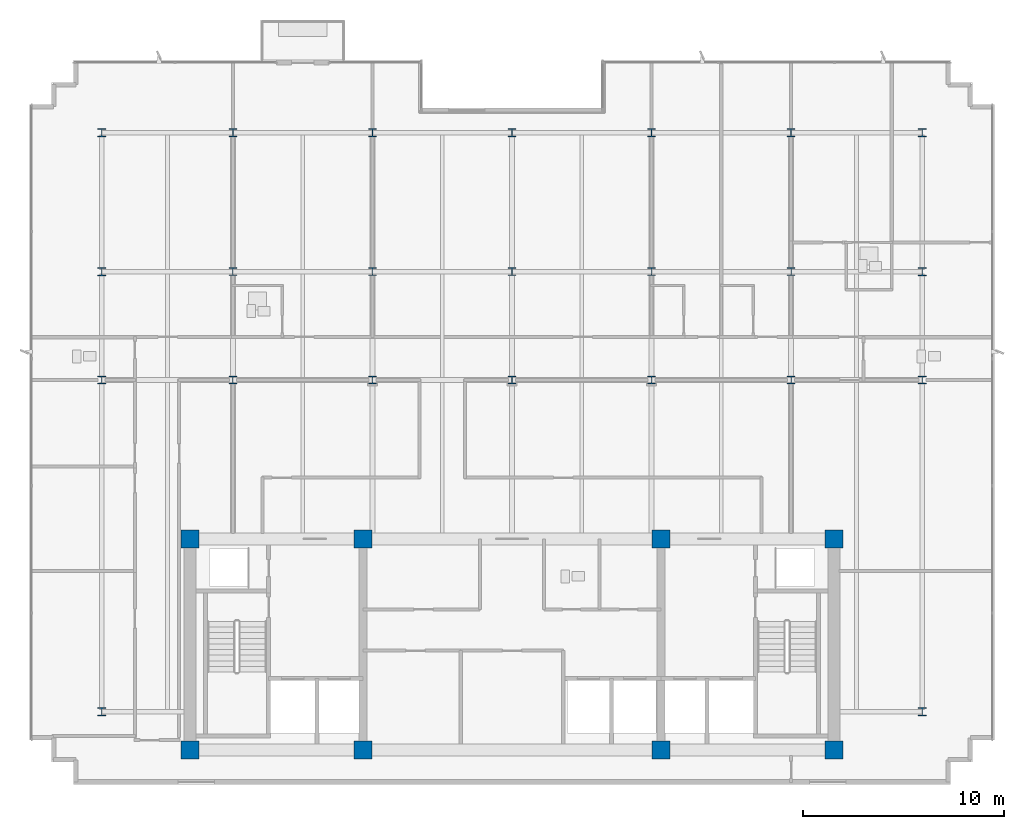
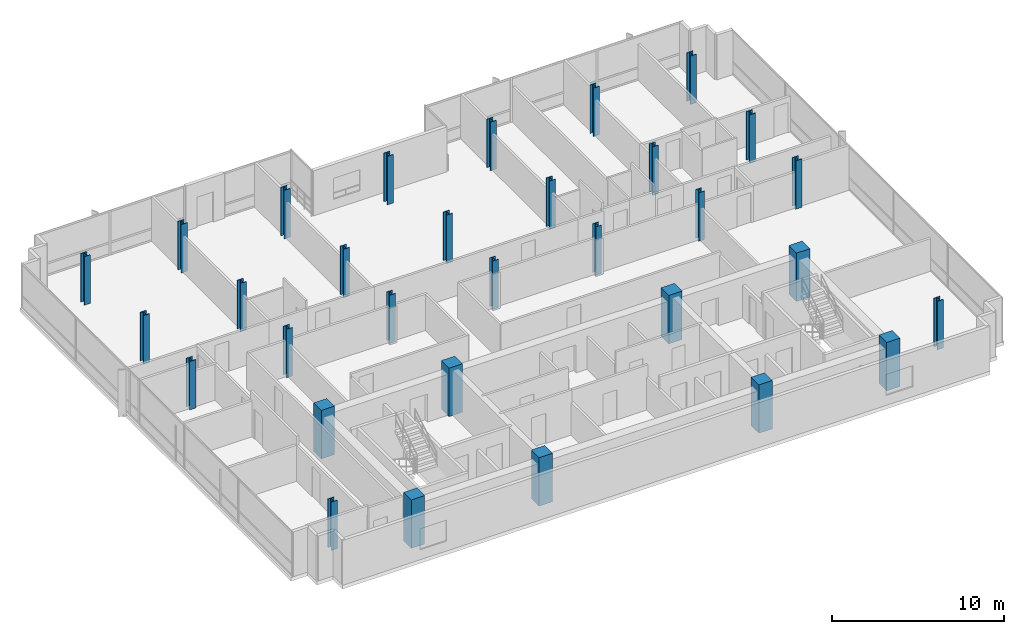
# One storey, part 1 of 17: 31 columns.
"""IFC4 building model written with IfcOpenShell, lengths in metres."""

from ifc_helpers import new_model, si_unit, direction, frame, origin, origin_2d, place, context, subcontext, project, spatial, rectangle, i_section, extrude, material, material_profile, profile_set, type_object, element, save


model = new_model("IFC4")

# Units and contexts
model_context = context("Model", 3, precision=1e-05, world=origin(), true_north=direction((0.0, 1.0)))
body_context = subcontext(model_context, "Body", "Model", "MODEL_VIEW")
ifc_project = project(units=[si_unit("LENGTHUNIT", "METRE"), si_unit("AREAUNIT", "SQUARE_METRE"), si_unit("VOLUMEUNIT", "CUBIC_METRE"), si_unit("PLANEANGLEUNIT", "RADIAN"), si_unit("MASSUNIT", "GRAM", prefix="KILO")], contexts=[model_context])

# Site, building, storey
site_placement = place(None, origin())
site = spatial("IfcSite", under=ifc_project, at=site_placement, CompositionType="ELEMENT")
building_placement = place(site_placement, origin())
building = spatial("IfcBuilding", under=site, at=building_placement, Name="Solmavex Isthmus Hotel", CompositionType="ELEMENT")
storey_placement = place(building_placement, frame((0.0, 0.0, 269.550048828125)))
storey = spatial("IfcBuildingStorey", under=building, at=storey_placement, Name="L73", CompositionType="ELEMENT", Elevation=269.550048828125)

# Columns
ifc_material_1 = material(Name="Concrete C50/60", Category="concrete")
ifc_material_profile_1 = material_profile(ifc_material_1, rectangle(XDim=0.89990234375, YDim=0.89990234375, at=origin_2d()), Name="RC900X900")
ifc_profile_set_1 = profile_set([ifc_material_profile_1], Name="Concrete C50/60")
column_type_1 = type_object("IfcColumnType", Name="COL-CC-900", PredefinedType="COLUMN", material=ifc_profile_set_1)
for number, where, z_axis, x_axis, name in (
    (1, (-16.0, -13.0, 0.0), (0.0, 0.0, 1.0), (1.0, 0.0, 0.0), "Core Pilaster CC-SW L73"),
    (2, (-7.39990234375, -13.0, 0.0), (0.0, 0.0, 1.0), (1.0, 0.0, 0.0), "Core Pilaster CC-S1 L73"),
    (3, (7.39990234375, -13.0, 0.0), (0.0, 0.0, 1.0), (1.0, 0.0, 0.0), "Core Pilaster CC-S2 L73"),
    (4, (16.0, -13.0, 0.0), (0.0, 0.0, 1.0), (1.0, 0.0, 0.0), "Core Pilaster CC-SE L73"),
    (5, (-16.0, -2.5, 0.0), (0.0, 0.0, 1.0), (1.0, 0.0, 0.0), "Core Pilaster CC-NW L73"),
    (6, (-7.39990234375, -2.5, 0.0), (0.0, 0.0, 1.0), (1.0, 0.0, 0.0), "Core Pilaster CC-N1 L73"),
    (7, (7.39990234375, -2.5, 0.0), (0.0, 0.0, 1.0), (1.0, 0.0, 0.0), "Core Pilaster CC-N2 L73"),
    (8, (16.0, -2.5, 0.0), (0.0, 0.0, 1.0), (1.0, 0.0, 0.0), "Core Pilaster CC-NE L73"),
):
    element("IfcColumn", number, at=place(storey_placement, frame(where, z_axis=z_axis, x_axis=x_axis)), inside=storey, type_object=column_type_1, Name=name, PredefinedType="COLUMN", context=body_context, shape_type="SweptSolid", body=[
        extrude(rectangle(XDim=0.89990234375, YDim=0.89990234375, at=origin_2d()), origin(), (0.0, 0.0, 1.0), 3.449951171875),
    ])
ifc_material_2 = material(Name="Steel ASTM A913 Grade 65", Category="steel")
ifc_material_profile_2 = material_profile(ifc_material_2, i_section(OverallWidth=0.4013671875, OverallDepth=0.3994140625, WebThickness=0.02490234375, FlangeThickness=0.03955078125, FilletRadius=0.030517578125, at=origin_2d()), Name="W14X211")
ifc_profile_set_2 = profile_set([ifc_material_profile_2], Name="Steel ASTM A913 Grade 65")
column_type_2 = type_object("IfcColumnType", Name="COL-SC-W14X211", PredefinedType="COLUMN", material=ifc_profile_set_2)
for number, where, z_axis, x_axis, name in (
    (9, (-13.8720703125, 5.39990234375, 0.0), (0.0, 0.0, 1.0), (1.0, 0.0, 0.0), "Tower Column B5-U2V2 L73"),
    (10, (-13.8720703125, 10.7880859375, 0.0), (0.0, 0.0, 1.0), (1.0, 0.0, 0.0), "Tower Column B5-U2V3 L73"),
    (11, (-6.93603515625, 5.39990234375, 0.0), (0.0, 0.0, 1.0), (1.0, 0.0, 0.0), "Tower Column B5-U3V2 L73"),
    (12, (-6.93603515625, 10.7880859375, 0.0), (0.0, 0.0, 1.0), (1.0, 0.0, 0.0), "Tower Column B5-U3V3 L73"),
    (13, (0.0, 5.39990234375, 0.0), (0.0, 0.0, 1.0), (1.0, 0.0, 0.0), "Tower Column B5-U4V2 L73"),
    (14, (0.0, 10.7880859375, 0.0), (0.0, 0.0, 1.0), (1.0, 0.0, 0.0), "Tower Column B5-U4V3 L73"),
    (15, (6.93603515625, 5.39990234375, 0.0), (0.0, 0.0, 1.0), (1.0, 0.0, 0.0), "Tower Column B5-U5V2 L73"),
    (16, (6.93603515625, 10.7880859375, 0.0), (0.0, 0.0, 1.0), (1.0, 0.0, 0.0), "Tower Column B5-U5V3 L73"),
    (17, (13.8720703125, 5.39990234375, 0.0), (0.0, 0.0, 1.0), (1.0, 0.0, 0.0), "Tower Column B5-U6V2 L73"),
    (18, (13.8720703125, 10.7880859375, 0.0), (0.0, 0.0, 1.0), (1.0, 0.0, 0.0), "Tower Column B5-U6V3 L73"),
):
    element("IfcColumn", number, at=place(storey_placement, frame(where, z_axis=z_axis, x_axis=x_axis)), inside=storey, type_object=column_type_2, Name=name, PredefinedType="COLUMN", context=body_context, shape_type="SweptSolid", body=[
        extrude(i_section(OverallWidth=0.4013671875, OverallDepth=0.3994140625, WebThickness=0.02490234375, FlangeThickness=0.03955078125, FilletRadius=0.030517578125, at=origin_2d()), origin(), (0.0, 0.0, 1.0), 3.449951171875),
    ])
ifc_material_profile_3 = material_profile(ifc_material_2, i_section(OverallWidth=0.40625, OverallDepth=0.416015625, WebThickness=0.02978515625, FlangeThickness=0.048095703125, FilletRadius=0.030517578125, at=origin_2d()), Name="W14X257")
ifc_profile_set_3 = profile_set([ifc_material_profile_3], Name="Steel ASTM A913 Grade 65")
column_type_3 = type_object("IfcColumnType", Name="COL-SC-W14X257", PredefinedType="COLUMN", material=ifc_profile_set_3)
for number, where, z_axis, x_axis, name in (
    (19, (-20.39990234375, -11.10009765625, 0.0), (0.0, 0.0, 1.0), (1.0, 0.0, 0.0), "Tower Column B5-U1V1 L73"),
    (20, (-20.39990234375, 5.39990234375, 0.0), (0.0, 0.0, 1.0), (1.0, 0.0, 0.0), "Tower Column B5-U1V2 L73"),
    (21, (-20.39990234375, 10.7880859375, 0.0), (0.0, 0.0, 1.0), (1.0, 0.0, 0.0), "Tower Column B5-U1V3 L73"),
    (22, (-20.39990234375, 17.699951171875, 0.0), (0.0, 0.0, 1.0), (1.0, 0.0, 0.0), "Tower Column B5-U1V4 L73"),
    (23, (-13.8720703125, 17.699951171875, 0.0), (0.0, 0.0, 1.0), (1.0, 0.0, 0.0), "Tower Column B5-U2V4 L73"),
    (24, (-6.93603515625, 17.699951171875, 0.0), (0.0, 0.0, 1.0), (1.0, 0.0, 0.0), "Tower Column B5-U3V4 L73"),
    (25, (0.0, 17.699951171875, 0.0), (0.0, 0.0, 1.0), (1.0, 0.0, 0.0), "Tower Column B5-U4V4 L73"),
    (26, (6.93603515625, 17.699951171875, 0.0), (0.0, 0.0, 1.0), (1.0, 0.0, 0.0), "Tower Column B5-U5V4 L73"),
    (27, (13.8720703125, 17.699951171875, 0.0), (0.0, 0.0, 1.0), (1.0, 0.0, 0.0), "Tower Column B5-U6V4 L73"),
    (28, (20.39990234375, -11.10009765625, 0.0), (0.0, 0.0, 1.0), (1.0, 0.0, 0.0), "Tower Column B5-U7V1 L73"),
    (29, (20.39990234375, 5.39990234375, 0.0), (0.0, 0.0, 1.0), (1.0, 0.0, 0.0), "Tower Column B5-U7V2 L73"),
    (30, (20.39990234375, 10.7880859375, 0.0), (0.0, 0.0, 1.0), (1.0, 0.0, 0.0), "Tower Column B5-U7V3 L73"),
    (31, (20.39990234375, 17.699951171875, 0.0), (0.0, 0.0, 1.0), (1.0, 0.0, 0.0), "Tower Column B5-U7V4 L73"),
):
    element("IfcColumn", number, at=place(storey_placement, frame(where, z_axis=z_axis, x_axis=x_axis)), inside=storey, type_object=column_type_3, Name=name, PredefinedType="COLUMN", context=body_context, shape_type="SweptSolid", body=[
        extrude(i_section(OverallWidth=0.40625, OverallDepth=0.416015625, WebThickness=0.02978515625, FlangeThickness=0.048095703125, FilletRadius=0.030517578125, at=origin_2d()), origin(), (0.0, 0.0, 1.0), 3.449951171875),
    ])

save(model, "model.ifc")
